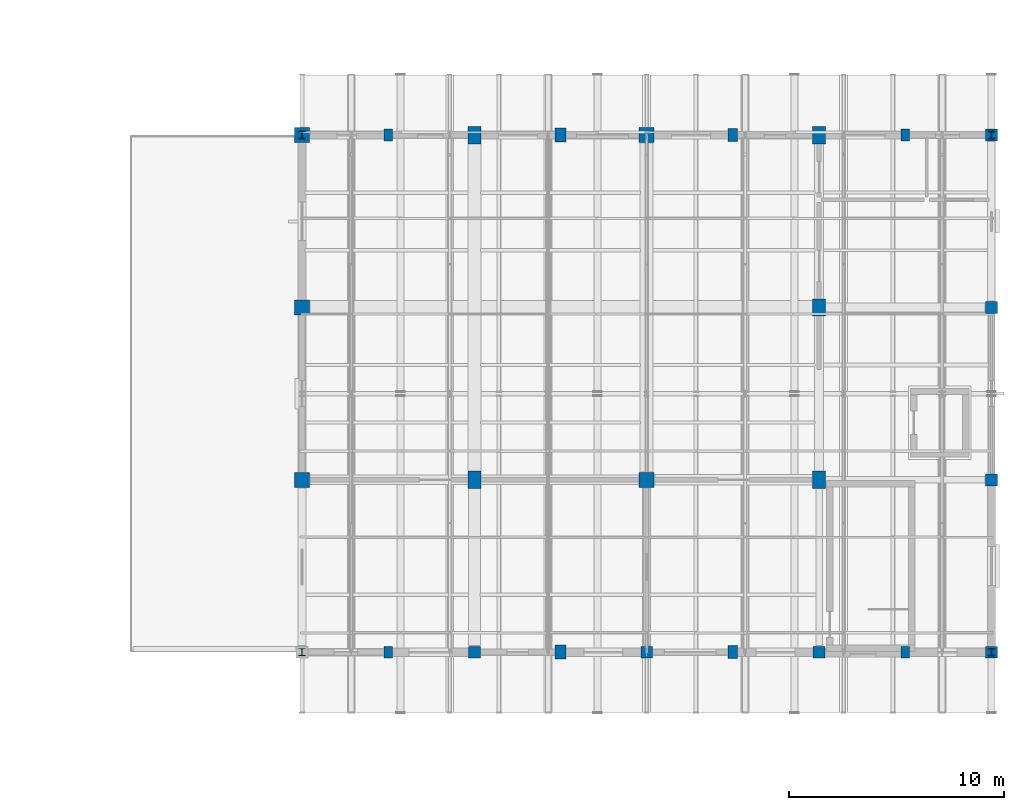
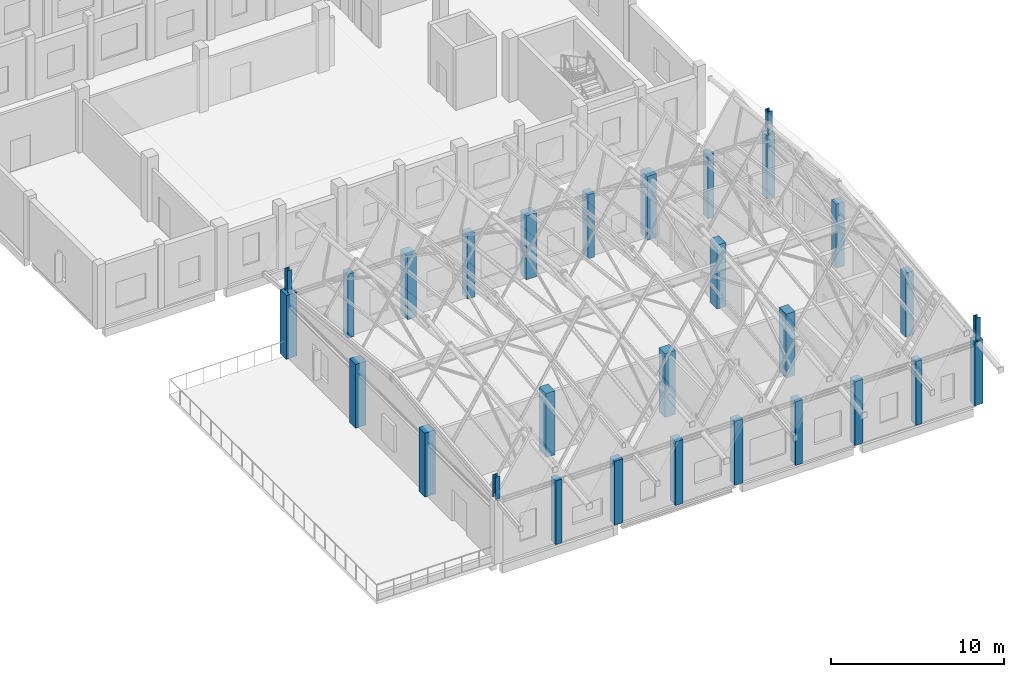
# One storey, part 7 of 77: 29 columns.
"""IFC4 building model written with IfcOpenShell, lengths in metres."""

from ifc_helpers import new_model, si_unit, direction, frame, origin, origin_2d, place, context, subcontext, project, spatial, rectangle, i_section, extrude, material, material_profile, profile_set, type_object, element, save


model = new_model("IFC4")

# Units and contexts
model_context = context("Model", 3, precision=1e-05, world=origin(), true_north=direction((0.0, 1.0)))
body_context = subcontext(model_context, "Body", "Model", "MODEL_VIEW")
ifc_project = project(units=[si_unit("LENGTHUNIT", "METRE"), si_unit("AREAUNIT", "SQUARE_METRE"), si_unit("VOLUMEUNIT", "CUBIC_METRE"), si_unit("PLANEANGLEUNIT", "RADIAN"), si_unit("MASSUNIT", "GRAM", prefix="KILO")], contexts=[model_context])

# Site, building, storey
site_placement = place(None, origin())
site = spatial("IfcSite", under=ifc_project, at=site_placement, CompositionType="ELEMENT")
building_placement = place(site_placement, origin())
building = spatial("IfcBuilding", under=site, at=building_placement, Name="Luwemba Playhouse", CompositionType="ELEMENT")
storey_placement = place(building_placement, frame((0.0, 0.0, 9.300048828125)))
storey = spatial("IfcBuildingStorey", under=building, at=storey_placement, Name="L02", CompositionType="ELEMENT", Elevation=9.300048828125)

# Columns
ifc_material_1 = material(Name="Concrete C40/50", Category="concrete")
ifc_material_profile_1 = material_profile(ifc_material_1, rectangle(XDim=0.550048828125, YDim=0.550048828125, at=origin_2d()))
ifc_profile_set_1 = profile_set([ifc_material_profile_1], Name="Concrete C40/50")
column_type_1 = type_object("IfcColumnType", Name="COL-C03", PredefinedType="COLUMN", material=ifc_profile_set_1)
for number, where, z_axis, x_axis, name in (
    (1, (148.0, 36.0, 0.0), (0.0, 0.0, 1.0), (1.0, 0.0, 0.0), "L02 column 222"),
    (2, (156.0, 36.0, 0.0), (0.0, 0.0, 1.0), (1.0, 0.0, 0.0), "L02 column 245"),
    (3, (164.0, 36.0, 0.0), (0.0, 0.0, 1.0), (1.0, 0.0, 0.0), "L02 column 268"),
    (4, (172.0, 36.0, 0.0), (0.0, 0.0, 1.0), (1.0, 0.0, 0.0), "L02 column 291"),
    (5, (172.0, 44.0, 0.0), (0.0, 0.0, 1.0), (1.0, 0.0, 0.0), "L02 column 292"),
    (6, (172.0, 52.0, 0.0), (0.0, 0.0, 1.0), (1.0, 0.0, 0.0), "L02 column 293"),
    (7, (172.0, 60.0, 0.0), (0.0, 0.0, 1.0), (1.0, 0.0, 0.0), "L02 column 294"),
):
    element("IfcColumn", number, at=place(storey_placement, frame(where, z_axis=z_axis, x_axis=x_axis)), inside=storey, type_object=column_type_1, Name=name, PredefinedType="COLUMN", context=body_context, shape_type="SweptSolid", body=[
        extrude(rectangle(XDim=0.550048828125, YDim=0.550048828125, at=origin_2d()), origin(), (0.0, 0.0, 1.0), 4.5),
    ])
ifc_material_profile_2 = material_profile(ifc_material_1, rectangle(XDim=0.699951171875, YDim=0.699951171875, at=origin_2d()))
ifc_profile_set_2 = profile_set([ifc_material_profile_2], Name="Concrete C40/50")
column_type_2 = type_object("IfcColumnType", Name="COL-C06", PredefinedType="COLUMN", material=ifc_profile_set_2)
for number, where, z_axis, x_axis, name in (
    (8, (140.0, 44.0, 0.0), (0.0, 0.0, 1.0), (1.0, 0.0, 0.0), "L02 column 200"),
    (9, (140.0, 52.0, 0.0), (0.0, 0.0, 1.0), (1.0, 0.0, 0.0), "L02 column 201"),
    (10, (140.0, 60.0, 0.0), (0.0, 0.0, 1.0), (1.0, 0.0, 0.0), "L02 column 202"),
    (11, (156.0, 44.0, 0.0), (0.0, 0.0, 1.0), (1.0, 0.0, 0.0), "L02 column 246"),
    (12, (156.0, 60.0, 0.0), (0.0, 0.0, 1.0), (1.0, 0.0, 0.0), "L02 column 248"),
):
    element("IfcColumn", number, at=place(storey_placement, frame(where, z_axis=z_axis, x_axis=x_axis)), inside=storey, type_object=column_type_2, Name=name, PredefinedType="COLUMN", context=body_context, shape_type="SweptSolid", body=[
        extrude(rectangle(XDim=0.699951171875, YDim=0.699951171875, at=origin_2d()), origin(), (0.0, 0.0, 1.0), 4.5),
    ])
ifc_material_profile_3 = material_profile(ifc_material_1, rectangle(XDim=0.60009765625, YDim=0.800048828125, at=origin_2d()))
ifc_profile_set_3 = profile_set([ifc_material_profile_3], Name="Concrete C40/50")
column_type_3 = type_object("IfcColumnType", Name="COL-C12", PredefinedType="COLUMN", material=ifc_profile_set_3)
for number, where, z_axis, x_axis, name in (
    (13, (148.0, 44.0, 0.0), (0.0, 0.0, 1.0), (1.0, 0.0, 0.0), "L02 column 223"),
    (14, (148.0, 60.0, 0.0), (0.0, 0.0, 1.0), (1.0, 0.0, 0.0), "L02 column 225"),
    (15, (164.0, 44.0, 0.0), (0.0, 0.0, 1.0), (1.0, 0.0, 0.0), "L02 column 269"),
    (16, (164.0, 52.0, 0.0), (0.0, 0.0, 1.0), (1.0, 0.0, 0.0), "L02 column 270"),
    (17, (164.0, 60.0, 0.0), (0.0, 0.0, 1.0), (1.0, 0.0, 0.0), "L02 column 271"),
):
    element("IfcColumn", number, at=place(storey_placement, frame(where, z_axis=z_axis, x_axis=x_axis)), inside=storey, type_object=column_type_3, Name=name, PredefinedType="COLUMN", context=body_context, shape_type="SweptSolid", body=[
        extrude(rectangle(XDim=0.60009765625, YDim=0.800048828125, at=origin_2d()), origin(), (0.0, 0.0, 1.0), 4.5),
    ])
ifc_material_profile_4 = material_profile(ifc_material_1, rectangle(XDim=0.39990234375, YDim=0.550048828125, at=origin_2d()))
ifc_profile_set_4 = profile_set([ifc_material_profile_4], Name="Concrete C40/50")
column_type_4 = type_object("IfcColumnType", Name="COL-PIL1", PredefinedType="PILASTER", material=ifc_profile_set_4)
for number, where, z_axis, x_axis, name in (
    (18, (144.0, 36.0, 0.0), (0.0, 0.0, 1.0), (1.0, 0.0, 0.0), "L02 column 212"),
    (19, (144.0, 60.0, 0.0), (0.0, 0.0, 1.0), (1.0, 0.0, 0.0), "L02 column 213"),
    (20, (168.0, 36.0, 0.0), (0.0, 0.0, 1.0), (1.0, 0.0, 0.0), "L02 column 281"),
    (21, (168.0, 60.0, 0.0), (0.0, 0.0, 1.0), (1.0, 0.0, 0.0), "L02 column 282"),
):
    element("IfcColumn", number, at=place(storey_placement, frame(where, z_axis=z_axis, x_axis=x_axis)), inside=storey, type_object=column_type_4, Name=name, PredefinedType="PILASTER", context=body_context, shape_type="SweptSolid", body=[
        extrude(rectangle(XDim=0.39990234375, YDim=0.550048828125, at=origin_2d()), origin(), (0.0, 0.0, 1.0), 4.5),
    ])
ifc_material_profile_5 = material_profile(ifc_material_1, rectangle(XDim=0.449951171875, YDim=0.60009765625, at=origin_2d()))
ifc_profile_set_5 = profile_set([ifc_material_profile_5], Name="Concrete C40/50")
column_type_5 = type_object("IfcColumnType", Name="COL-PIL2", PredefinedType="PILASTER", material=ifc_profile_set_5)
for number, where, z_axis, x_axis, name in (
    (22, (160.0, 36.0, 0.0), (0.0, 0.0, 1.0), (1.0, 0.0, 0.0), "L02 column 258"),
    (23, (160.0, 60.0, 0.0), (0.0, 0.0, 1.0), (1.0, 0.0, 0.0), "L02 column 259"),
):
    element("IfcColumn", number, at=place(storey_placement, frame(where, z_axis=z_axis, x_axis=x_axis)), inside=storey, type_object=column_type_5, Name=name, PredefinedType="PILASTER", context=body_context, shape_type="SweptSolid", body=[
        extrude(rectangle(XDim=0.449951171875, YDim=0.60009765625, at=origin_2d()), origin(), (0.0, 0.0, 1.0), 4.5),
    ])
ifc_material_profile_6 = material_profile(ifc_material_1, rectangle(XDim=0.5, YDim=0.64990234375, at=origin_2d()))
ifc_profile_set_6 = profile_set([ifc_material_profile_6], Name="Concrete C40/50")
column_type_6 = type_object("IfcColumnType", Name="COL-PIL3", PredefinedType="PILASTER", material=ifc_profile_set_6)
for number, where, z_axis, x_axis, name in (
    (24, (152.0, 36.0, 0.0), (0.0, 0.0, 1.0), (1.0, 0.0, 0.0), "L02 column 235"),
    (25, (152.0, 60.0, 0.0), (0.0, 0.0, 1.0), (1.0, 0.0, 0.0), "L02 column 236"),
):
    element("IfcColumn", number, at=place(storey_placement, frame(where, z_axis=z_axis, x_axis=x_axis)), inside=storey, type_object=column_type_6, Name=name, PredefinedType="PILASTER", context=body_context, shape_type="SweptSolid", body=[
        extrude(rectangle(XDim=0.5, YDim=0.64990234375, at=origin_2d()), origin(), (0.0, 0.0, 1.0), 4.5),
    ])
ifc_material_2 = material(Name="Steel S355", Category="steel")
ifc_material_profile_7 = material_profile(ifc_material_2, i_section(OverallWidth=0.300048828125, OverallDepth=0.340087890625, WebThickness=0.011962890625, FlangeThickness=0.021484375, FilletRadius=0.027099609375, at=origin_2d()))
ifc_profile_set_7 = profile_set([ifc_material_profile_7], Name="Steel S355")
column_type_7 = type_object("IfcColumnType", Name="COL-SC2", PredefinedType="COLUMN", material=ifc_profile_set_7)
for number, where, z_axis, x_axis, name in (
    (26, (140.0, 36.0, 4.5), (0.0, 0.0, 1.0), (1.0, 0.0, 0.0), "RF-V3 south corner apex stub"),
    (27, (140.0, 60.0, 4.5), (0.0, 0.0, 1.0), (1.0, 0.0, 0.0), "RF-V3 north corner apex stub"),
    (28, (172.0, 36.0, 4.5), (0.0, 0.0, 1.0), (1.0, 0.0, 0.0), "RF-V3 south corner apex stub"),
    (29, (172.0, 60.0, 4.5), (0.0, 0.0, 1.0), (1.0, 0.0, 0.0), "RF-V3 north corner apex stub"),
):
    element("IfcColumn", number, at=place(storey_placement, frame(where, z_axis=z_axis, x_axis=x_axis)), inside=storey, type_object=column_type_7, Name=name, PredefinedType="COLUMN", context=body_context, shape_type="SweptSolid", body=[
        extrude(i_section(OverallWidth=0.300048828125, OverallDepth=0.340087890625, WebThickness=0.011962890625, FlangeThickness=0.021484375, FilletRadius=0.027099609375, at=origin_2d()), origin(), (0.0, 0.0, 1.0), 1.56591796875),
    ])

save(model, "model.ifc")
